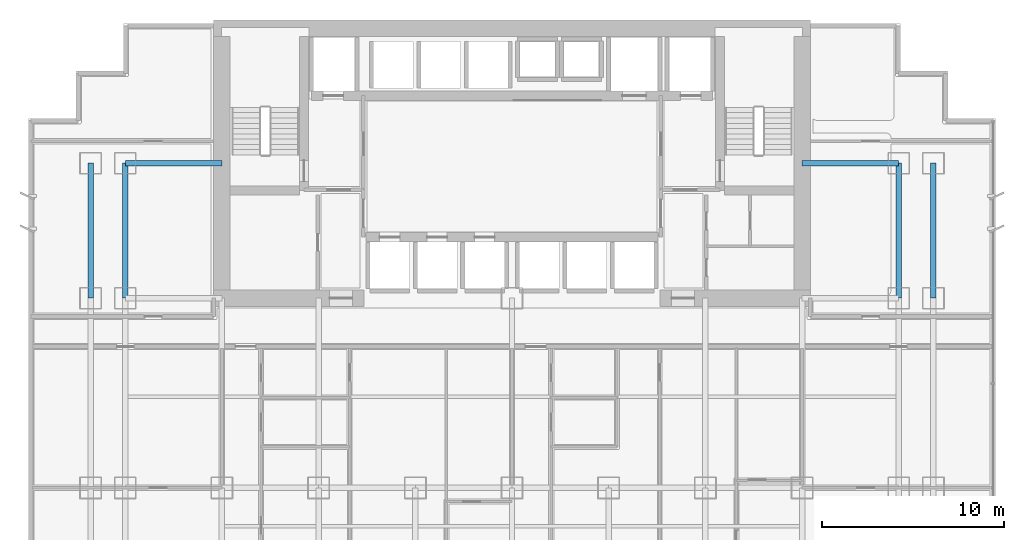
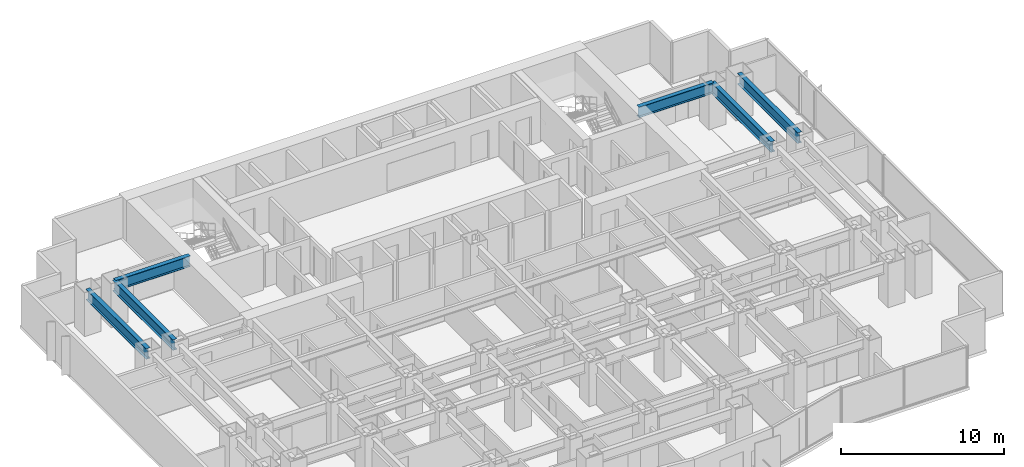
# One storey, part 4 of 12: 6 beams.
"""IFC4 building model written with IfcOpenShell, lengths in metres."""

from ifc_helpers import new_model, si_unit, direction, frame, origin, origin_2d, place, context, subcontext, project, spatial, i_section, extrude, material, material_profile, profile_set, type_object, element, save


model = new_model("IFC4")

# Units and contexts
model_context = context("Model", 3, precision=1e-05, world=origin(), true_north=direction((0.0, 1.0)))
body_context = subcontext(model_context, "Body", "Model", "MODEL_VIEW")
ifc_project = project(units=[si_unit("LENGTHUNIT", "METRE"), si_unit("AREAUNIT", "SQUARE_METRE"), si_unit("VOLUMEUNIT", "CUBIC_METRE"), si_unit("PLANEANGLEUNIT", "RADIAN"), si_unit("MASSUNIT", "GRAM", prefix="KILO")], contexts=[model_context])

# Site, building, storey
site_placement = place(None, origin())
site = spatial("IfcSite", under=ifc_project, at=site_placement, CompositionType="ELEMENT")
building_placement = place(site_placement, origin())
building = spatial("IfcBuilding", under=site, at=building_placement, Name="Qianlan Lanfeng Residences", CompositionType="ELEMENT")
storey_placement = place(building_placement, frame((0.0, 0.0, 44.0)))
storey = spatial("IfcBuildingStorey", under=building, at=storey_placement, Name="L11", CompositionType="ELEMENT", Elevation=44.0)

# Beams
ifc_material = material(Name="Steel SN490B", Category="steel")
ifc_material_profile = material_profile(ifc_material, i_section(OverallWidth=0.300048828125, OverallDepth=0.800048828125, WebThickness=0.01611328125, FlangeThickness=0.028076171875, at=origin_2d()), Name="H 800x300x16x28")
ifc_profile_set = profile_set([ifc_material_profile], Name="Steel SN490B")
beam_type = type_object("IfcBeamType", Name="G-950", PredefinedType="BEAM", material=ifc_profile_set)
for number, where, z_axis, x_axis, name in (
    (1, (5.300048828125, 32.60009765625, 2.679931640625), (1.0, 0.0, 0.0), (0.0, 1.0, 0.0), "Structural beam G-950"),
    (2, (42.39990234375, 32.60009765625, 2.679931640625), (1.0, 0.0, 0.0), (0.0, 1.0, 0.0), "Structural beam G-950"),
):
    element("IfcBeam", number, at=place(storey_placement, frame(where, z_axis=z_axis, x_axis=x_axis)), inside=storey, type_object=beam_type, Name=name, PredefinedType="BEAM", context=body_context, shape_type="SweptSolid", body=[
        extrude(i_section(OverallWidth=0.300048828125, OverallDepth=0.800048828125, WebThickness=0.01611328125, FlangeThickness=0.028076171875, at=origin_2d()), origin(), (0.0, 0.0, 1.0), 5.300048828125),
    ])
for number, where, z_axis, x_axis, name in (
    (3, (3.39990234375, 25.199951171875, 2.679931640625), (0.0, 1.0, 0.0), (-1.0, 0.0, 0.0), "Structural beam G-950"),
    (4, (5.300048828125, 25.199951171875, 2.679931640625), (0.0, 1.0, 0.0), (-1.0, 0.0, 0.0), "Structural beam G-950"),
    (5, (47.699951171875, 25.199951171875, 2.679931640625), (0.0, 1.0, 0.0), (-1.0, 0.0, 0.0), "Structural beam G-950"),
    (6, (49.60009765625, 25.199951171875, 2.679931640625), (0.0, 1.0, 0.0), (-1.0, 0.0, 0.0), "Structural beam G-950"),
):
    element("IfcBeam", number, at=place(storey_placement, frame(where, z_axis=z_axis, x_axis=x_axis)), inside=storey, type_object=beam_type, Name=name, PredefinedType="BEAM", context=body_context, shape_type="SweptSolid", body=[
        extrude(i_section(OverallWidth=0.300048828125, OverallDepth=0.800048828125, WebThickness=0.01611328125, FlangeThickness=0.028076171875, at=origin_2d()), origin(), (0.0, 0.0, 1.0), 7.400146484375),
    ])

save(model, "model.ifc")
